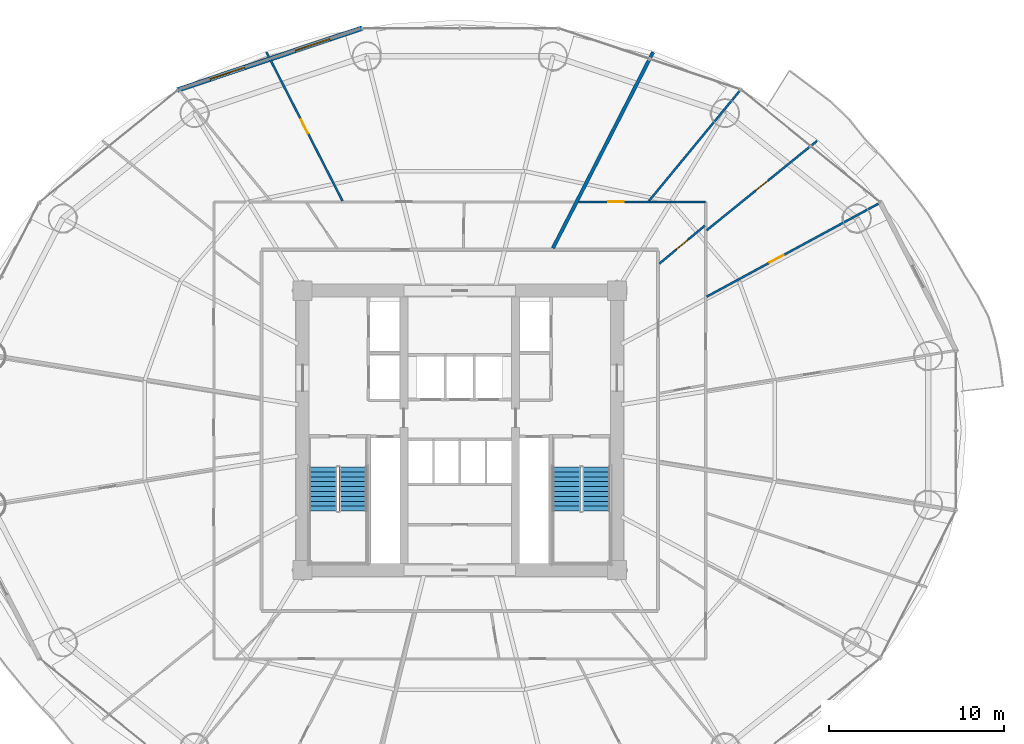
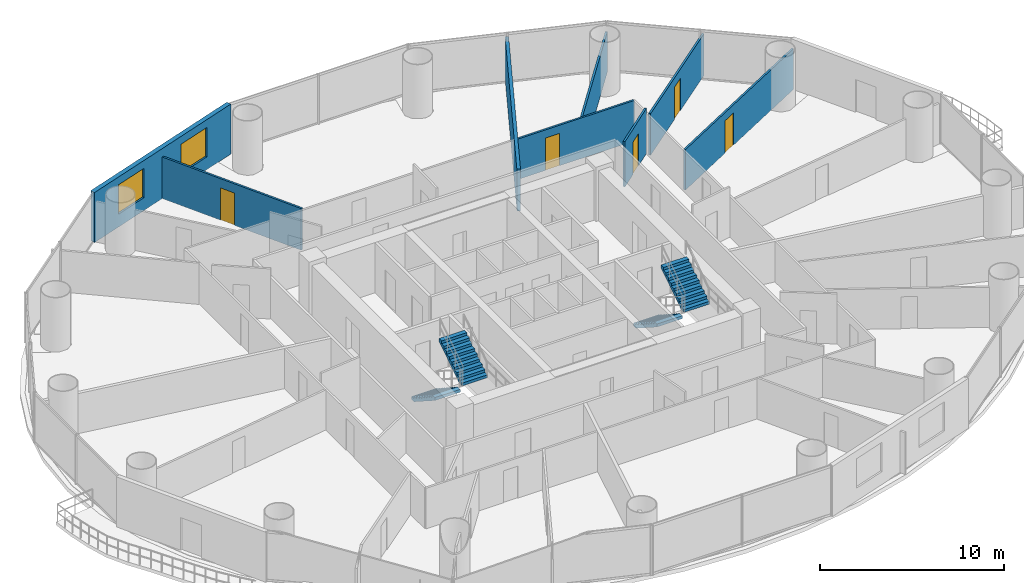
# One storey, part 26 of 30: 8 walls, 5 doors, 4 stair flights, 2 windows, 7 openings, 2 elements without a shape of their own.
"""IFC4 building model written with IfcOpenShell, lengths in metres."""

from ifc_helpers import new_model, si_unit, direction, frame, frame_2d, origin, place, context, subcontext, project, spatial, polyline, rectangle, outline, extrude, source, transform, mapped, material, layer, layer_set, type_object, element, fill, aggregate, save


model = new_model("IFC4")

# Units and contexts
model_context = context("Model", 3, precision=1e-05, world=origin(), true_north=direction((-0.2419218956, 0.970295726276)))
body_context = subcontext(model_context, "Body", "Model", "MODEL_VIEW")
ifc_project = project(units=[si_unit("LENGTHUNIT", "METRE"), si_unit("AREAUNIT", "SQUARE_METRE"), si_unit("VOLUMEUNIT", "CUBIC_METRE"), si_unit("PLANEANGLEUNIT", "RADIAN"), si_unit("MASSUNIT", "GRAM", prefix="KILO")], contexts=[model_context])

# Site, building, storey
site_placement = place(None, origin())
site = spatial("IfcSite", under=ifc_project, at=site_placement, CompositionType="ELEMENT")
building_placement = place(site_placement, origin())
building = spatial("IfcBuilding", under=site, at=building_placement, Name="Cobrevalo Terracotta Tower", CompositionType="ELEMENT")
storey_placement = place(building_placement, frame((0.0, 0.0, 27.60009765625)))
storey = spatial("IfcBuildingStorey", under=building, at=storey_placement, Name="L06", CompositionType="ELEMENT", Elevation=27.60009765625)

# Wall
ifc_material_1 = material(Name="Autoclaved aerated concrete block", Category="concrete")
ifc_layer_1 = layer(ifc_material_1, 0.199951171875)
ifc_layer_set_1 = layer_set([ifc_layer_1], Name="Autoclaved aerated concrete block")
wall_type_1 = type_object("IfcWallType", Name="Fire-rated stair, shaft & demising masonry wall 200 mm", PredefinedType="PARTITIONING", material=ifc_layer_set_1)
wall_1_placement = place(storey_placement, frame((43.334716796875, 37.23681640625, 0.0), z_axis=(0.0, 0.0, 1.0), x_axis=(0.455148959499, 0.890415310216, 0.0)))
element("IfcWall", 1, at=wall_1_placement, inside=storey, type_object=wall_type_1, Name="L06 interior partition IW-L06-DEM-2", PredefinedType="PARTITIONING", context=body_context, shape_type="SweptSolid", body=[
    extrude(rectangle(XDim=12.598388671875, YDim=0.199951171875, at=frame_2d((6.29931640625, 0.0))), origin(), (0.0, 0.0, 1.0), 2.761962890625),
])

# Wall, openings, windows
ifc_layer_2 = layer(ifc_material_1, 0.280029296875)
ifc_layer_set_2 = layer_set([ifc_layer_2], Name="Autoclaved aerated concrete block")
wall_type_2 = type_object("IfcWallType", Name="Insulated tower spandrel & pier wall 280 mm with terracotta rainscreen", PredefinedType="SOLIDWALL", material=ifc_layer_set_2)
wall_2_placement = place(storey_placement, frame((32.424072265625, 49.844482421875, 0.0), z_axis=(0.0, 0.0, 1.0), x_axis=(-0.948041258496, -0.318147406385, 0.0)))
wall_2 = element("IfcWall", 2, at=wall_2_placement, inside=storey, type_object=wall_type_2, Name="L06 terracotta rainscreen pier wall S05", PredefinedType="SOLIDWALL", context=body_context, shape_type="SweptSolid", body=[
    extrude(rectangle(XDim=11.17529296875, YDim=0.280029296875, at=frame_2d((5.587646484375, 0.0))), origin(), (0.0, 0.0, 1.0), 3.31982421875),
])
opening_1_placement = place(wall_2_placement, frame((1.96728515625, 0.0, 0.85009765625)))
opening_1 = element("IfcOpeningElement", 3, at=opening_1_placement, cuts=wall_2, Name="Opening WN-10", PredefinedType="OPENING", context=body_context, shape_type="SweptSolid", body=[
    extrude(rectangle(XDim=2.10009765625, YDim=1.949951171875, at=frame_2d((1.050048828125, 0.97509765625))), frame((0.0, 0.14990234375, 0.0), z_axis=(0.0, -1.0, 0.0), x_axis=(1.0, 0.0, 0.0)), (0.0, 0.0, 1.0), 0.300048828125),
])
opening_2_placement = place(wall_2_placement, frame((7.108154296875, 0.0, 0.85009765625)))
opening_2 = element("IfcOpeningElement", 4, at=opening_2_placement, cuts=wall_2, Name="Opening WN-10", PredefinedType="OPENING", context=body_context, shape_type="SweptSolid", body=[
    extrude(rectangle(XDim=2.10009765625, YDim=1.949951171875, at=frame_2d((1.050048828125, 0.97509765625))), frame((0.0, 0.14990234375, 0.0), z_axis=(0.0, -1.0, 0.0), x_axis=(1.0, 0.0, 0.0)), (0.0, 0.0, 1.0), 0.300048828125),
])
ifc_material_2 = material(Name="Solar-control low-E double glazing", Category="glass")
window_type = type_object("IfcWindowType", Name="Wide panoramic low-E aluminium window 2100x1950", PartitioningType="SINGLE_PANEL", PredefinedType="WINDOW", material=ifc_material_2)
shared_shape_1 = source(origin(), body_context, "Body", "SweptSolid", [
    extrude(rectangle(XDim=2.10009765625, YDim=1.949951171875, at=frame_2d((1.050048828125, 0.97509765625))), frame((0.0, 0.030029296875, 0.0), z_axis=(0.0, -1.0, 0.0), x_axis=(1.0, 0.0, 0.0)), (0.0, 0.0, 1.0), 0.06005859375),
])
window_1_placement = place(opening_1_placement, origin())
window_1 = element("IfcWindow", 5, at=window_1_placement, inside=storey, type_object=window_type, Name="L06 suite window S05A", OverallHeight=1.949951171875, OverallWidth=2.10009765625, PartitioningType="SINGLE_PANEL", PredefinedType="WINDOW", context=body_context, shape_type="MappedRepresentation", body=[
    mapped(shared_shape_1, transform((0.0, 0.0, 0.0), scale=1.0)),
])
fill(opening_1, window_1)
window_2_placement = place(opening_2_placement, origin())
window_2 = element("IfcWindow", 6, at=window_2_placement, inside=storey, type_object=window_type, Name="L06 suite window S05B", OverallHeight=1.949951171875, OverallWidth=2.10009765625, PartitioningType="SINGLE_PANEL", PredefinedType="WINDOW", context=body_context, shape_type="MappedRepresentation", body=[
    mapped(shared_shape_1, transform((0.0, 0.0, 0.0), scale=1.0)),
])
fill(opening_2, window_2)

# Wall, opening, door
ifc_material_3 = material(Name="Gypsum board on steel stud", Category="steel")
ifc_layer_3 = layer(ifc_material_3, 0.1201171875)
ifc_layer_set_3 = layer_set([ifc_layer_3], Name="Gypsum board on steel stud")
wall_type_3 = type_object("IfcWallType", Name="Residential internal acoustic stud partition 120 mm", PredefinedType="PARTITIONING", material=ifc_layer_set_3)
wall_3_placement = place(storey_placement, frame((44.79052734375, 39.885009765625, 0.0), z_axis=(0.0, 0.0, 1.0), x_axis=(1.0, 0.0, 0.0)))
wall_3 = element("IfcWall", 7, at=wall_3_placement, inside=storey, type_object=wall_type_3, Name="L06 interior partition IW-L06-U1-RING0_0", PredefinedType="PARTITIONING", context=body_context, shape_type="SweptSolid", body=[
    extrude(rectangle(XDim=7.29443359375, YDim=0.1201171875, at=frame_2d((3.647216796875, 0.0))), origin(), (0.0, 0.0, 1.0), 2.68798828125),
])
opening_3_placement = place(wall_3_placement, frame((1.705078125, 0.0, 0.0)))
opening_3 = element("IfcOpeningElement", 8, at=opening_3_placement, cuts=wall_3, Name="Opening ID-12", PredefinedType="OPENING", context=body_context, shape_type="SweptSolid", body=[
    extrude(rectangle(XDim=0.89990234375, YDim=2.14990234375, at=frame_2d((0.449951171875, 1.074951171875))), frame((0.0, 0.070068359375, 0.0), z_axis=(0.0, -1.0, 0.0), x_axis=(1.0, 0.0, 0.0)), (0.0, 0.0, 1.0), 0.14013671875),
])
ifc_material_4 = material(Name="Engineered timber", Category="wood")
door_type = type_object("IfcDoorType", Name="Internal residence & suite timber door 900x2150", OperationType="NOTDEFINED", PredefinedType="DOOR", material=ifc_material_4)
shared_shape_2 = source(origin(), body_context, "Body", "SweptSolid", [
    extrude(rectangle(XDim=0.89990234375, YDim=2.14990234375, at=frame_2d((0.449951171875, 1.074951171875))), frame((0.0, 0.02490234375, 0.0), z_axis=(0.0, -1.0, 0.0), x_axis=(1.0, 0.0, 0.0)), (0.0, 0.0, 1.0), 0.050048828125),
])
door_1_placement = place(opening_3_placement, origin())
door_1 = element("IfcDoor", 9, at=door_1_placement, inside=storey, type_object=door_type, Name="Flat L06A Penthouse Family Lounge internal door", OperationType="SINGLE_SWING_LEFT", OverallHeight=2.14990234375, OverallWidth=0.89990234375, PredefinedType="DOOR", context=body_context, shape_type="MappedRepresentation", body=[
    mapped(shared_shape_2, transform((0.0, 0.0, 0.0), scale=1.0)),
])
fill(opening_3, door_1)

wall_4_placement = place(storey_placement, frame((52.139404296875, 34.455810546875, 0.0), z_axis=(0.0, 0.0, 1.0), x_axis=(0.879372452045, 0.476134529922, 0.0)))
wall_4 = element("IfcWall", 10, at=wall_4_placement, inside=storey, type_object=wall_type_3, Name="L06 interior partition IW-L06-U1-ORAD2M1", PredefinedType="PARTITIONING", context=body_context, shape_type="SweptSolid", body=[
    extrude(rectangle(XDim=11.219482421875, YDim=0.1201171875, at=frame_2d((5.60986328125, 0.0))), origin(), (0.0, 0.0, 1.0), 2.68798828125),
])
opening_4_placement = place(wall_4_placement, frame((4.101806640625, 0.0, 0.0)))
opening_4 = element("IfcOpeningElement", 11, at=opening_4_placement, cuts=wall_4, Name="Opening ID-12", PredefinedType="OPENING", context=body_context, shape_type="SweptSolid", body=[
    extrude(rectangle(XDim=0.89990234375, YDim=2.14990234375, at=frame_2d((0.449951171875, 1.074951171875))), frame((0.0, 0.070068359375, 0.0), z_axis=(0.0, -1.0, 0.0), x_axis=(1.0, 0.0, 0.0)), (0.0, 0.0, 1.0), 0.14013671875),
])
door_2_placement = place(opening_4_placement, origin())
door_2 = element("IfcDoor", 12, at=door_2_placement, inside=storey, type_object=door_type, Name="Flat L06A Master Bedroom internal door", OperationType="SINGLE_SWING_RIGHT", OverallHeight=2.14990234375, OverallWidth=0.89990234375, PredefinedType="DOOR", context=body_context, shape_type="MappedRepresentation", body=[
    mapped(shared_shape_2, transform((0.0, 0.0, 0.0), scale=1.0)),
])
fill(opening_4, door_2)

wall_5_placement = place(storey_placement, frame((52.133056640625, 38.252685546875, 0.0), z_axis=(0.0, 0.0, 1.0), x_axis=(0.776936623447, 0.629578814087, 0.0)))
wall_5 = element("IfcWall", 13, at=wall_5_placement, inside=storey, type_object=wall_type_3, Name="L06 interior partition IW-L06-U1-ORAD2", PredefinedType="PARTITIONING", context=body_context, shape_type="SweptSolid", body=[
    extrude(rectangle(XDim=8.136474609375, YDim=0.1201171875, at=frame_2d((4.068359375, 0.0))), origin(), (0.0, 0.0, 1.0), 2.761962890625),
])
opening_5_placement = place(wall_5_placement, frame((3.618408203125, 0.0, 0.0)))
opening_5 = element("IfcOpeningElement", 14, at=opening_5_placement, cuts=wall_5, Name="Opening ID-12", PredefinedType="OPENING", context=body_context, shape_type="SweptSolid", body=[
    extrude(rectangle(XDim=0.89990234375, YDim=2.14990234375, at=frame_2d((0.449951171875, 1.074951171875))), frame((0.0, 0.070068359375, 0.0), z_axis=(0.0, -1.0, 0.0), x_axis=(1.0, 0.0, 0.0)), (0.0, 0.0, 1.0), 0.14013671875),
])
door_3_placement = place(opening_5_placement, origin())
door_3 = element("IfcDoor", 15, at=door_3_placement, inside=storey, type_object=door_type, Name="Flat L06A Principal Guest Bedroom internal door", OperationType="SINGLE_SWING_LEFT", OverallHeight=2.14990234375, OverallWidth=0.89990234375, PredefinedType="DOOR", context=body_context, shape_type="MappedRepresentation", body=[
    mapped(shared_shape_2, transform((0.0, 0.0, 0.0), scale=1.0)),
])
fill(opening_5, door_3)

# Wall
wall_6_placement = place(storey_placement, frame((48.828857421875, 39.932861328125, 0.0), z_axis=(0.0, 0.0, 1.0), x_axis=(0.636192172227, 0.771530634516, 0.0)))
element("IfcWall", 16, at=wall_6_placement, inside=storey, type_object=wall_type_3, Name="L06 interior partition IW-L06-U1-ORAD3M1", PredefinedType="PARTITIONING", context=body_context, shape_type="SweptSolid", body=[
    extrude(rectangle(XDim=8.186279296875, YDim=0.1201171875, at=frame_2d((4.09326171875, 0.0))), origin(), (0.0, 0.0, 1.0), 2.68798828125),
])

# Wall, opening, door
wall_7_placement = place(storey_placement, frame((49.43505859375, 36.3525390625, 0.0), z_axis=(0.0, 0.0, 1.0), x_axis=(0.76742398833, 0.641139939589, 0.0)))
wall_7 = element("IfcWall", 17, at=wall_7_placement, inside=storey, type_object=wall_type_3, Name="L06 interior partition IW-L06-U1-IRAD2", PredefinedType="PARTITIONING", context=body_context, shape_type="SweptSolid", body=[
    extrude(rectangle(XDim=3.390869140625, YDim=0.1201171875, at=frame_2d((1.6953125, 0.0))), origin(), (0.0, 0.0, 1.0), 2.9990234375),
])
opening_6_placement = place(wall_7_placement, frame((1.24560546875, 0.0, 0.0)))
opening_6 = element("IfcOpeningElement", 18, at=opening_6_placement, cuts=wall_7, Name="Opening ID-12", PredefinedType="OPENING", context=body_context, shape_type="SweptSolid", body=[
    extrude(rectangle(XDim=0.89990234375, YDim=2.14990234375, at=frame_2d((0.449951171875, 1.074951171875))), frame((0.0, 0.070068359375, 0.0), z_axis=(0.0, -1.0, 0.0), x_axis=(1.0, 0.0, 0.0)), (0.0, 0.0, 1.0), 0.14013671875),
])
door_4_placement = place(opening_6_placement, origin())
door_4 = element("IfcDoor", 19, at=door_4_placement, inside=storey, type_object=door_type, Name="Flat L06A Kitchen internal door", OperationType="SINGLE_SWING_LEFT", OverallHeight=2.14990234375, OverallWidth=0.89990234375, PredefinedType="DOOR", context=body_context, shape_type="MappedRepresentation", body=[
    mapped(shared_shape_2, transform((0.0, 0.0, 0.0), scale=1.0)),
])
fill(opening_6, door_4)

wall_8_placement = place(storey_placement, frame((31.283203125, 39.940185546875, 0.0), z_axis=(0.0, 0.0, 1.0), x_axis=(-0.455131303234, 0.890424335256, 0.0)))
wall_8 = element("IfcWall", 20, at=wall_8_placement, inside=storey, type_object=wall_type_3, Name="L06 interior partition IW-L06-U2-ORAD1", PredefinedType="PARTITIONING", context=body_context, shape_type="SweptSolid", body=[
    extrude(rectangle(XDim=9.562255859375, YDim=0.1201171875, at=frame_2d((4.78125, 0.0))), origin(), (0.0, 0.0, 1.0), 2.761962890625),
])
opening_7_placement = place(wall_8_placement, frame((4.3310546875, 0.0, 0.0)))
opening_7 = element("IfcOpeningElement", 21, at=opening_7_placement, cuts=wall_8, Name="Opening ID-12", PredefinedType="OPENING", context=body_context, shape_type="SweptSolid", body=[
    extrude(rectangle(XDim=0.89990234375, YDim=2.14990234375, at=frame_2d((0.449951171875, 1.074951171875))), frame((0.0, 0.070068359375, 0.0), z_axis=(0.0, -1.0, 0.0), x_axis=(1.0, 0.0, 0.0)), (0.0, 0.0, 1.0), 0.14013671875),
])
door_5_placement = place(opening_7_placement, origin())
door_5 = element("IfcDoor", 22, at=door_5_placement, inside=storey, type_object=door_type, Name="Flat L06B Master Bedroom internal door", OperationType="SINGLE_SWING_RIGHT", OverallHeight=2.14990234375, OverallWidth=0.89990234375, PredefinedType="DOOR", context=body_context, shape_type="MappedRepresentation", body=[
    mapped(shared_shape_2, transform((0.0, 0.0, 0.0), scale=1.0)),
])
fill(opening_7, door_5)

# Stair, stair flights
ifc_material_5 = material(Name="Concrete C50", Category="concrete")
stair_type = type_object("IfcStairType", Name="Core protected escape dogleg stair 1600", PredefinedType="HALF_TURN_STAIR", material=ifc_material_5)
stair_1_placement = place(storey_placement, origin())
stair_1 = element("IfcStair", 23, at=stair_1_placement, inside=storey, type_object=stair_type, Name="L06 Protected exit stair ST-1", PredefinedType="HALF_TURN_STAIR")
stair_flight_type = type_object("IfcStairFlightType", Name="Core protected escape dogleg stair 1600 flight", PredefinedType="STRAIGHT", material=ifc_material_5)
stair_flight_1_placement = place(storey_placement, frame((30.175048828125, 24.699951171875, 0.0), z_axis=(0.0, 0.0, 1.0), x_axis=(0.0, -1.0, 0.0)))
stair_flight_1 = element("IfcStairFlight", 24, at=stair_flight_1_placement, type_object=stair_flight_type, Name="ST-1 flight 1", NumberOfRisers=10, NumberOfTreads=9, PredefinedType="STRAIGHT", RiserHeight=0.18, TreadLength=0.28, context=body_context, shape_type="SweptSolid", body=[
    extrude(outline(polyline([(0.0, 0.0), (0.0, 0.179931640625), (0.280029296875, 0.179931640625), (0.280029296875, 0.360107421875), (0.56005859375, 0.360107421875), (0.56005859375, 0.5400390625), (0.840087890625, 0.5400390625), (0.840087890625, 0.719970703125), (1.1201171875, 0.719970703125), (1.1201171875, 0.89990234375), (1.39990234375, 0.89990234375), (1.39990234375, 1.080078125), (1.679931640625, 1.080078125), (1.679931640625, 1.260009765625), (1.9599609375, 1.260009765625), (1.9599609375, 1.43994140625), (2.239990234375, 1.43994140625), (2.239990234375, 1.6201171875), (2.52001953125, 1.6201171875), (2.52001953125, 1.800048828125), (2.52001953125, 1.429931640625), (0.295654296875, 0.0), (0.0, 0.0)])), frame((0.0, 0.800048828125, 0.0), z_axis=(0.0, -1.0, 0.0), x_axis=(1.0, 0.0, 0.0)), (0.0, 0.0, 1.0), 1.60009765625),
])
stair_flight_2_placement = place(storey_placement, frame((31.89501953125, 22.179931640625, 1.7998046875), z_axis=(0.0, 0.0, 1.0), x_axis=(0.0, 1.0, 0.0)))
stair_flight_2 = element("IfcStairFlight", 25, at=stair_flight_2_placement, type_object=stair_flight_type, Name="ST-1 flight 2", NumberOfRisers=10, NumberOfTreads=9, PredefinedType="STRAIGHT", RiserHeight=0.18, TreadLength=0.28, context=body_context, shape_type="SweptSolid", body=[
    extrude(outline(polyline([(0.0, 0.0), (0.0, 0.179931640625), (0.280029296875, 0.179931640625), (0.280029296875, 0.360107421875), (0.56005859375, 0.360107421875), (0.56005859375, 0.5400390625), (0.840087890625, 0.5400390625), (0.840087890625, 0.719970703125), (1.1201171875, 0.719970703125), (1.1201171875, 0.89990234375), (1.39990234375, 0.89990234375), (1.39990234375, 1.080078125), (1.679931640625, 1.080078125), (1.679931640625, 1.260009765625), (1.9599609375, 1.260009765625), (1.9599609375, 1.43994140625), (2.239990234375, 1.43994140625), (2.239990234375, 1.6201171875), (2.52001953125, 1.6201171875), (2.52001953125, 1.800048828125), (2.52001953125, 1.429931640625), (0.295654296875, 0.0), (0.0, 0.0)])), frame((0.0, 0.800048828125, 0.0), z_axis=(0.0, -1.0, 0.0), x_axis=(1.0, 0.0, 0.0)), (0.0, 0.0, 1.0), 1.60009765625),
])
aggregate(stair_1, [stair_flight_1, stair_flight_2])

stair_2_placement = place(storey_placement, origin())
stair_2 = element("IfcStair", 26, at=stair_2_placement, inside=storey, type_object=stair_type, Name="L06 Protected exit stair ST-2", PredefinedType="HALF_TURN_STAIR")
stair_flight_3_placement = place(storey_placement, frame((44.10498046875, 24.699951171875, 0.0), z_axis=(0.0, 0.0, 1.0), x_axis=(0.0, -1.0, 0.0)))
stair_flight_3 = element("IfcStairFlight", 27, at=stair_flight_3_placement, type_object=stair_flight_type, Name="ST-2 flight 1", NumberOfRisers=10, NumberOfTreads=9, PredefinedType="STRAIGHT", RiserHeight=0.18, TreadLength=0.28, context=body_context, shape_type="SweptSolid", body=[
    extrude(outline(polyline([(0.0, 0.0), (0.0, 0.179931640625), (0.280029296875, 0.179931640625), (0.280029296875, 0.360107421875), (0.56005859375, 0.360107421875), (0.56005859375, 0.5400390625), (0.840087890625, 0.5400390625), (0.840087890625, 0.719970703125), (1.1201171875, 0.719970703125), (1.1201171875, 0.89990234375), (1.39990234375, 0.89990234375), (1.39990234375, 1.080078125), (1.679931640625, 1.080078125), (1.679931640625, 1.260009765625), (1.9599609375, 1.260009765625), (1.9599609375, 1.43994140625), (2.239990234375, 1.43994140625), (2.239990234375, 1.6201171875), (2.52001953125, 1.6201171875), (2.52001953125, 1.800048828125), (2.52001953125, 1.429931640625), (0.295654296875, 0.0), (0.0, 0.0)])), frame((0.0, 0.800048828125, 0.0), z_axis=(0.0, -1.0, 0.0), x_axis=(1.0, 0.0, 0.0)), (0.0, 0.0, 1.0), 1.60009765625),
])
stair_flight_4_placement = place(storey_placement, frame((45.824951171875, 22.179931640625, 1.7998046875), z_axis=(0.0, 0.0, 1.0), x_axis=(0.0, 1.0, 0.0)))
stair_flight_4 = element("IfcStairFlight", 28, at=stair_flight_4_placement, type_object=stair_flight_type, Name="ST-2 flight 2", NumberOfRisers=10, NumberOfTreads=9, PredefinedType="STRAIGHT", RiserHeight=0.18, TreadLength=0.28, context=body_context, shape_type="SweptSolid", body=[
    extrude(outline(polyline([(0.0, 0.0), (0.0, 0.179931640625), (0.280029296875, 0.179931640625), (0.280029296875, 0.360107421875), (0.56005859375, 0.360107421875), (0.56005859375, 0.5400390625), (0.840087890625, 0.5400390625), (0.840087890625, 0.719970703125), (1.1201171875, 0.719970703125), (1.1201171875, 0.89990234375), (1.39990234375, 0.89990234375), (1.39990234375, 1.080078125), (1.679931640625, 1.080078125), (1.679931640625, 1.260009765625), (1.9599609375, 1.260009765625), (1.9599609375, 1.43994140625), (2.239990234375, 1.43994140625), (2.239990234375, 1.6201171875), (2.52001953125, 1.6201171875), (2.52001953125, 1.800048828125), (2.52001953125, 1.429931640625), (0.295654296875, 0.0), (0.0, 0.0)])), frame((0.0, 0.800048828125, 0.0), z_axis=(0.0, -1.0, 0.0), x_axis=(1.0, 0.0, 0.0)), (0.0, 0.0, 1.0), 1.60009765625),
])
aggregate(stair_2, [stair_flight_3, stair_flight_4])

save(model, "model.ifc")
